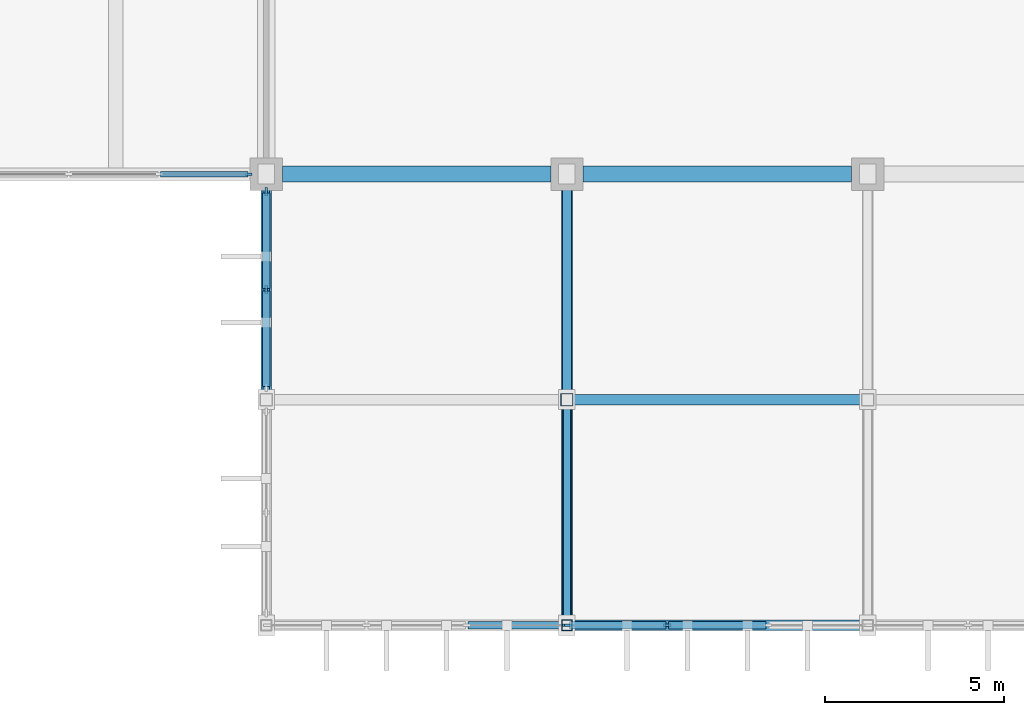
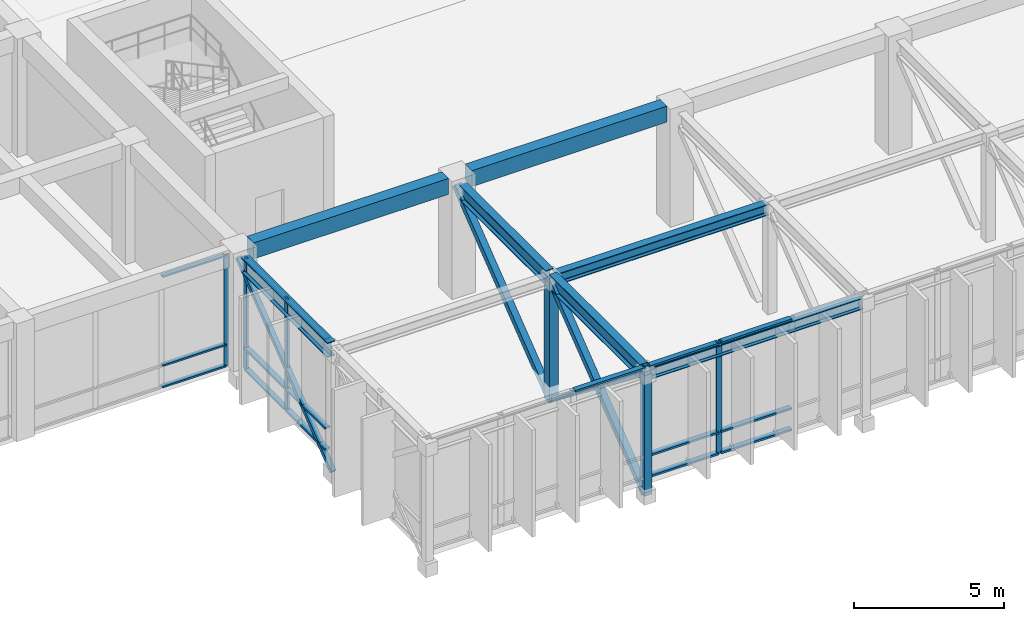
# One storey, part 5 of 51: 28 members, 7 beams, 4 elements without a shape of their own.
"""IFC4 building model written with IfcOpenShell, lengths in metres."""

from ifc_helpers import new_model, si_unit, direction, frame, origin, origin_2d, place, context, subcontext, project, spatial, rectangle, hollow_rectangle, i_section, extrude, material, material_profile, profile_set, type_object, element, aggregate, save


model = new_model("IFC4")

# Units and contexts
model_context = context("Model", 3, precision=1e-05, world=origin(), true_north=direction((0.0, 1.0)))
body_context = subcontext(model_context, "Body", "Model", "MODEL_VIEW")
ifc_project = project(units=[si_unit("LENGTHUNIT", "METRE"), si_unit("AREAUNIT", "SQUARE_METRE"), si_unit("VOLUMEUNIT", "CUBIC_METRE"), si_unit("PLANEANGLEUNIT", "RADIAN"), si_unit("MASSUNIT", "GRAM", prefix="KILO")], contexts=[model_context])

# Site, building, storey
site_placement = place(None, origin())
site = spatial("IfcSite", under=ifc_project, at=site_placement, CompositionType="ELEMENT")
building_placement = place(site_placement, origin())
building = spatial("IfcBuilding", under=site, at=building_placement, Name="Kenerak Square Central Library", CompositionType="ELEMENT")
storey_placement = place(building_placement, frame((0.0, 0.0, 9.60009765625)))
storey = spatial("IfcBuildingStorey", under=building, at=storey_placement, Name="L02", CompositionType="ELEMENT", Elevation=9.60009765625)

# Curtain wall, member
ifc_material_1 = material(Name="Anodised aluminium and solar-control low-E glazing", Category="aluminium")
curtain_wall_type_1 = type_object("IfcCurtainWallType", Name="Curtain Wall CW-V6-76x45 7600x4550", PredefinedType="USERDEFINED", material=ifc_material_1)
curtain_wall_1_placement = place(storey_placement, origin())
curtain_wall_1 = element("IfcCurtainWall", 1, at=curtain_wall_1_placement, inside=storey, type_object=curtain_wall_type_1, Name="Curtain Wall CW-V6-76x45 L02 0106", ObjectType="CURTAIN WALL", PredefinedType="USERDEFINED")
ifc_material_2 = material(Name="Anodised aluminium 6063-T6", Category="aluminium")
ifc_material_profile_1 = material_profile(ifc_material_2, rectangle(XDim=0.06494140625, YDim=0.179931640625, at=origin_2d()), Name="AL MULLION 65x180")
ifc_profile_set_1 = profile_set([ifc_material_profile_1], Name="Anodised aluminium 6063-T6")
member_type_1 = type_object("IfcMemberType", Name="Curtain Mullion CM-01 65x180", PredefinedType="MULLION", material=ifc_profile_set_1)
member_1_placement = place(storey_placement, frame((57.91748046875, 16.800048828125, 0.0), z_axis=(0.0, 0.0, 1.0), x_axis=(0.0, -1.0, 0.0)))
member_1 = element("IfcMember", 2, at=member_1_placement, type_object=member_type_1, Name="CW-V6-76x45 Mullion 1", PredefinedType="MULLION", context=body_context, shape_type="SweptSolid", body=[
    extrude(rectangle(XDim=0.06494140625, YDim=0.179931640625, at=origin_2d()), origin(), (0.0, 0.0, 1.0), 4.5498046875),
])

# Curtain wall, members
curtain_wall_type_2 = type_object("IfcCurtainWallType", Name="Curtain Wall CW-V1-84x45 8400x4550", PredefinedType="USERDEFINED", material=ifc_material_1)
curtain_wall_2_placement = place(storey_placement, origin())
curtain_wall_2 = element("IfcCurtainWall", 3, at=curtain_wall_2_placement, inside=storey, type_object=curtain_wall_type_2, Name="Curtain Wall CW-V1-84x45 L02 0102", ObjectType="CURTAIN WALL", PredefinedType="USERDEFINED")
ifc_material_profile_2 = material_profile(ifc_material_2, rectangle(XDim=0.074951171875, YDim=0.219970703125, at=origin_2d()), Name="AL MULLION 75x220")
ifc_profile_set_2 = profile_set([ifc_material_profile_2], Name="Anodised aluminium 6063-T6")
member_type_2 = type_object("IfcMemberType", Name="Curtain Mullion CM-02 75x220", PredefinedType="MULLION", material=ifc_profile_set_2)
member_2_placement = place(storey_placement, frame((69.60009765625, 4.199951171875, 0.0), z_axis=(0.0, 0.0, 1.0), x_axis=(0.0, -1.0, 0.0)))
member_2 = element("IfcMember", 4, at=member_2_placement, type_object=member_type_2, Name="CW-V1-84x45 Mullion 3", PredefinedType="MULLION", context=body_context, shape_type="SweptSolid", body=[
    extrude(rectangle(XDim=0.074951171875, YDim=0.219970703125, at=origin_2d()), origin(), (0.0, 0.0, 1.0), 4.5498046875),
])
member_3_placement = place(storey_placement, frame((66.83740234375, 4.199951171875, 0.0), z_axis=(0.0, 0.0, 1.0), x_axis=(0.0, -1.0, 0.0)))
member_3 = element("IfcMember", 5, at=member_3_placement, type_object=member_type_2, Name="CW-V1-84x45 Mullion 4", PredefinedType="MULLION", context=body_context, shape_type="SweptSolid", body=[
    extrude(rectangle(XDim=0.074951171875, YDim=0.219970703125, at=origin_2d()), origin(), (0.0, 0.0, 1.0), 4.5498046875),
])

# Curtain wall, member
curtain_wall_3_placement = place(storey_placement, origin())
curtain_wall_3 = element("IfcCurtainWall", 6, at=curtain_wall_3_placement, inside=storey, type_object=curtain_wall_type_2, Name="Curtain Wall CW-V1-84x45 L02 0103", ObjectType="CURTAIN WALL", PredefinedType="USERDEFINED")
member_4_placement = place(storey_placement, frame((66.762451171875, 4.199951171875, 0.0), z_axis=(0.0, 0.0, 1.0), x_axis=(0.0, -1.0, 0.0)))
member_4 = element("IfcMember", 7, at=member_4_placement, type_object=member_type_2, Name="CW-V1-84x45 Mullion 1", PredefinedType="MULLION", context=body_context, shape_type="SweptSolid", body=[
    extrude(rectangle(XDim=0.074951171875, YDim=0.219970703125, at=origin_2d()), origin(), (0.0, 0.0, 1.0), 4.5498046875),
])

# Curtain wall, members
curtain_wall_type_3 = type_object("IfcCurtainWallType", Name="Curtain Wall CW-V1-55x45 5550x4550", PredefinedType="USERDEFINED", material=ifc_material_1)
curtain_wall_4_placement = place(storey_placement, origin())
curtain_wall_4 = element("IfcCurtainWall", 8, at=curtain_wall_4_placement, inside=storey, type_object=curtain_wall_type_3, Name="Curtain Wall CW-V1-55x45 L02 0105", ObjectType="CURTAIN WALL", PredefinedType="USERDEFINED")
member_5_placement = place(storey_placement, frame((58.39990234375, 13.574951171875, 0.0), z_axis=(0.0, 0.0, 1.0), x_axis=(-1.0, 0.0, 0.0)))
member_5 = element("IfcMember", 9, at=member_5_placement, type_object=member_type_2, Name="CW-V1-55x45 Mullion 2", PredefinedType="MULLION", context=body_context, shape_type="SweptSolid", body=[
    extrude(rectangle(XDim=0.074951171875, YDim=0.219970703125, at=origin_2d()), origin(), (0.0, 0.0, 1.0), 4.5498046875),
])
member_6_placement = place(storey_placement, frame((58.39990234375, 16.3125, 0.0), z_axis=(0.0, 0.0, 1.0), x_axis=(-1.0, 0.0, 0.0)))
member_6 = element("IfcMember", 10, at=member_6_placement, type_object=member_type_2, Name="CW-V1-55x45 Mullion 3", PredefinedType="MULLION", context=body_context, shape_type="SweptSolid", body=[
    extrude(rectangle(XDim=0.074951171875, YDim=0.219970703125, at=origin_2d()), origin(), (0.0, 0.0, 1.0), 4.5498046875),
])

# Member
ifc_material_profile_3 = material_profile(ifc_material_2, rectangle(XDim=0.159912109375, YDim=0.06494140625, at=origin_2d()), Name="AL TRANSOM 160x65")
ifc_profile_set_3 = profile_set([ifc_material_profile_3], Name="Anodised aluminium 6063-T6")
member_type_3 = type_object("IfcMemberType", Name="Curtain Transom CT-11 160x65", PredefinedType="USERDEFINED", material=ifc_profile_set_3)
member_7_placement = place(storey_placement, frame((57.885009765625, 16.800048828125, 0.032470703125), z_axis=(-1.0, 0.0, 0.0), x_axis=(0.0, -1.0, 0.0)))
member_7 = element("IfcMember", 11, at=member_7_placement, type_object=member_type_3, Name="CW-V6-76x45 Transom 1.1", ObjectType="TRANSOM", PredefinedType="USERDEFINED", context=body_context, shape_type="SweptSolid", body=[
    extrude(rectangle(XDim=0.159912109375, YDim=0.06494140625, at=origin_2d()), origin(), (0.0, 0.0, 1.0), 2.435791015625),
])

member_8_placement = place(storey_placement, frame((57.885009765625, 16.800048828125, 0.89990234375), z_axis=(-1.0, 0.0, 0.0), x_axis=(0.0, -1.0, 0.0)))
member_8 = element("IfcMember", 12, at=member_8_placement, type_object=member_type_3, Name="CW-V6-76x45 Transom 1.2", ObjectType="TRANSOM", PredefinedType="USERDEFINED", context=body_context, shape_type="SweptSolid", body=[
    extrude(rectangle(XDim=0.159912109375, YDim=0.06494140625, at=origin_2d()), origin(), (0.0, 0.0, 1.0), 2.435791015625),
])

member_9_placement = place(storey_placement, frame((57.885009765625, 16.800048828125, 4.517333984375), z_axis=(-1.0, 0.0, 0.0), x_axis=(0.0, -1.0, 0.0)))
member_9 = element("IfcMember", 13, at=member_9_placement, type_object=member_type_3, Name="CW-V6-76x45 Transom 1.3", ObjectType="TRANSOM", PredefinedType="USERDEFINED", context=body_context, shape_type="SweptSolid", body=[
    extrude(rectangle(XDim=0.159912109375, YDim=0.06494140625, at=origin_2d()), origin(), (0.0, 0.0, 1.0), 2.435791015625),
])

aggregate(curtain_wall_1, [member_1, member_7, member_8, member_9])

ifc_material_profile_4 = material_profile(ifc_material_2, rectangle(XDim=0.199951171875, YDim=0.074951171875, at=origin_2d()), Name="AL TRANSOM 200x75")
ifc_profile_set_4 = profile_set([ifc_material_profile_4], Name="Anodised aluminium 6063-T6")
member_type_4 = type_object("IfcMemberType", Name="Curtain Transom CT-12 200x75", PredefinedType="USERDEFINED", material=ifc_profile_set_4)
member_10_placement = place(storey_placement, frame((72.362548828125, 4.199951171875, 0.037353515625), z_axis=(-1.0, 0.0, 0.0), x_axis=(0.0, -1.0, 0.0)))
member_10 = element("IfcMember", 14, at=member_10_placement, type_object=member_type_4, Name="CW-V1-84x45 Transom 2.1", ObjectType="TRANSOM", PredefinedType="USERDEFINED", context=body_context, shape_type="SweptSolid", body=[
    extrude(rectangle(XDim=0.199951171875, YDim=0.074951171875, at=origin_2d()), origin(), (0.0, 0.0, 1.0), 2.72509765625),
])

member_11_placement = place(storey_placement, frame((72.362548828125, 4.199951171875, 0.89990234375), z_axis=(-1.0, 0.0, 0.0), x_axis=(0.0, -1.0, 0.0)))
member_11 = element("IfcMember", 15, at=member_11_placement, type_object=member_type_4, Name="CW-V1-84x45 Transom 2.2", ObjectType="TRANSOM", PredefinedType="USERDEFINED", context=body_context, shape_type="SweptSolid", body=[
    extrude(rectangle(XDim=0.199951171875, YDim=0.074951171875, at=origin_2d()), origin(), (0.0, 0.0, 1.0), 2.72509765625),
])

member_12_placement = place(storey_placement, frame((72.362548828125, 4.199951171875, 4.512451171875), z_axis=(-1.0, 0.0, 0.0), x_axis=(0.0, -1.0, 0.0)))
member_12 = element("IfcMember", 16, at=member_12_placement, type_object=member_type_4, Name="CW-V1-84x45 Transom 2.3", ObjectType="TRANSOM", PredefinedType="USERDEFINED", context=body_context, shape_type="SweptSolid", body=[
    extrude(rectangle(XDim=0.199951171875, YDim=0.074951171875, at=origin_2d()), origin(), (0.0, 0.0, 1.0), 2.72509765625),
])

member_13_placement = place(storey_placement, frame((69.5625, 4.199951171875, 0.037353515625), z_axis=(-1.0, 0.0, 0.0), x_axis=(0.0, -1.0, 0.0)))
member_13 = element("IfcMember", 17, at=member_13_placement, type_object=member_type_4, Name="CW-V1-84x45 Transom 3.1", ObjectType="TRANSOM", PredefinedType="USERDEFINED", context=body_context, shape_type="SweptSolid", body=[
    extrude(rectangle(XDim=0.199951171875, YDim=0.074951171875, at=origin_2d()), origin(), (0.0, 0.0, 1.0), 2.6875),
])

member_14_placement = place(storey_placement, frame((69.5625, 4.199951171875, 0.89990234375), z_axis=(-1.0, 0.0, 0.0), x_axis=(0.0, -1.0, 0.0)))
member_14 = element("IfcMember", 18, at=member_14_placement, type_object=member_type_4, Name="CW-V1-84x45 Transom 3.2", ObjectType="TRANSOM", PredefinedType="USERDEFINED", context=body_context, shape_type="SweptSolid", body=[
    extrude(rectangle(XDim=0.199951171875, YDim=0.074951171875, at=origin_2d()), origin(), (0.0, 0.0, 1.0), 2.6875),
])

member_15_placement = place(storey_placement, frame((69.5625, 4.199951171875, 4.512451171875), z_axis=(-1.0, 0.0, 0.0), x_axis=(0.0, -1.0, 0.0)))
member_15 = element("IfcMember", 19, at=member_15_placement, type_object=member_type_4, Name="CW-V1-84x45 Transom 3.3", ObjectType="TRANSOM", PredefinedType="USERDEFINED", context=body_context, shape_type="SweptSolid", body=[
    extrude(rectangle(XDim=0.199951171875, YDim=0.074951171875, at=origin_2d()), origin(), (0.0, 0.0, 1.0), 2.6875),
])

aggregate(curtain_wall_2, [member_2, member_3, member_10, member_11, member_12, member_13, member_14, member_15])

member_16_placement = place(storey_placement, frame((66.72509765625, 4.199951171875, 4.512451171875), z_axis=(-1.0, 0.0, 0.0), x_axis=(0.0, -1.0, 0.0)))
member_16 = element("IfcMember", 20, at=member_16_placement, type_object=member_type_4, Name="CW-V1-84x45 Transom 1.3", ObjectType="TRANSOM", PredefinedType="USERDEFINED", context=body_context, shape_type="SweptSolid", body=[
    extrude(rectangle(XDim=0.199951171875, YDim=0.074951171875, at=origin_2d()), origin(), (0.0, 0.0, 1.0), 2.6875),
])

aggregate(curtain_wall_3, [member_4, member_16])

member_17_placement = place(storey_placement, frame((58.39990234375, 10.875, 0.037353515625), z_axis=(0.0, 1.0, 0.0), x_axis=(-1.0, 0.0, 0.0)))
member_17 = element("IfcMember", 21, at=member_17_placement, type_object=member_type_4, Name="CW-V1-55x45 Transom 1.1", ObjectType="TRANSOM", PredefinedType="USERDEFINED", context=body_context, shape_type="SweptSolid", body=[
    extrude(rectangle(XDim=0.199951171875, YDim=0.074951171875, at=origin_2d()), origin(), (0.0, 0.0, 1.0), 2.66259765625),
])

member_18_placement = place(storey_placement, frame((58.39990234375, 10.875, 0.89990234375), z_axis=(0.0, 1.0, 0.0), x_axis=(-1.0, 0.0, 0.0)))
member_18 = element("IfcMember", 22, at=member_18_placement, type_object=member_type_4, Name="CW-V1-55x45 Transom 1.2", ObjectType="TRANSOM", PredefinedType="USERDEFINED", context=body_context, shape_type="SweptSolid", body=[
    extrude(rectangle(XDim=0.199951171875, YDim=0.074951171875, at=origin_2d()), origin(), (0.0, 0.0, 1.0), 2.66259765625),
])

member_19_placement = place(storey_placement, frame((58.39990234375, 10.875, 4.512451171875), z_axis=(0.0, 1.0, 0.0), x_axis=(-1.0, 0.0, 0.0)))
member_19 = element("IfcMember", 23, at=member_19_placement, type_object=member_type_4, Name="CW-V1-55x45 Transom 1.3", ObjectType="TRANSOM", PredefinedType="USERDEFINED", context=body_context, shape_type="SweptSolid", body=[
    extrude(rectangle(XDim=0.199951171875, YDim=0.074951171875, at=origin_2d()), origin(), (0.0, 0.0, 1.0), 2.66259765625),
])

member_20_placement = place(storey_placement, frame((58.39990234375, 13.612548828125, 0.037353515625), z_axis=(0.0, 1.0, 0.0), x_axis=(-1.0, 0.0, 0.0)))
member_20 = element("IfcMember", 24, at=member_20_placement, type_object=member_type_4, Name="CW-V1-55x45 Transom 2.1", ObjectType="TRANSOM", PredefinedType="USERDEFINED", context=body_context, shape_type="SweptSolid", body=[
    extrude(rectangle(XDim=0.199951171875, YDim=0.074951171875, at=origin_2d()), origin(), (0.0, 0.0, 1.0), 2.662353515625),
])

member_21_placement = place(storey_placement, frame((58.39990234375, 13.612548828125, 0.89990234375), z_axis=(0.0, 1.0, 0.0), x_axis=(-1.0, 0.0, 0.0)))
member_21 = element("IfcMember", 25, at=member_21_placement, type_object=member_type_4, Name="CW-V1-55x45 Transom 2.2", ObjectType="TRANSOM", PredefinedType="USERDEFINED", context=body_context, shape_type="SweptSolid", body=[
    extrude(rectangle(XDim=0.199951171875, YDim=0.074951171875, at=origin_2d()), origin(), (0.0, 0.0, 1.0), 2.662353515625),
])

member_22_placement = place(storey_placement, frame((58.39990234375, 13.612548828125, 4.512451171875), z_axis=(0.0, 1.0, 0.0), x_axis=(-1.0, 0.0, 0.0)))
member_22 = element("IfcMember", 26, at=member_22_placement, type_object=member_type_4, Name="CW-V1-55x45 Transom 2.3", ObjectType="TRANSOM", PredefinedType="USERDEFINED", context=body_context, shape_type="SweptSolid", body=[
    extrude(rectangle(XDim=0.199951171875, YDim=0.074951171875, at=origin_2d()), origin(), (0.0, 0.0, 1.0), 2.662353515625),
])

aggregate(curtain_wall_4, [member_5, member_6, member_17, member_18, member_19, member_20, member_21, member_22])

# Beams
ifc_material_3 = material(Name="Concrete C40/50", Category="concrete")
ifc_material_profile_5 = material_profile(ifc_material_3, rectangle(XDim=0.449951171875, YDim=0.64990234375, at=origin_2d()), Name="RC 450x650")
ifc_profile_set_5 = profile_set([ifc_material_profile_5], Name="Concrete C40/50")
beam_type_1 = type_object("IfcBeamType", Name="Mezzanine Frame Beam B-06 RC 450x650 C40/50", PredefinedType="BEAM", material=ifc_profile_set_5)
for number, where, z_axis, x_axis, name in (
    (27, (58.85009765625, 16.800048828125, 4.474853515625), (1.0, 0.0, 0.0), (0.0, 1.0, 0.0), "Beam B-06 L02 1190"),
    (28, (67.25, 16.800048828125, 4.474853515625), (1.0, 0.0, 0.0), (0.0, 1.0, 0.0), "Beam B-06 L02 1191"),
):
    element("IfcBeam", number, at=place(storey_placement, frame(where, z_axis=z_axis, x_axis=x_axis)), inside=storey, type_object=beam_type_1, Name=name, PredefinedType="BEAM", context=body_context, shape_type="SweptSolid", body=[
        extrude(rectangle(XDim=0.449951171875, YDim=0.64990234375, at=origin_2d()), origin(), (0.0, 0.0, 1.0), 7.5),
    ])
ifc_material_4 = material(Name="Steel S355", Category="steel")
ifc_material_profile_6 = material_profile(ifc_material_4, i_section(OverallWidth=0.300048828125, OverallDepth=0.449951171875, WebThickness=0.013916015625, FlangeThickness=0.02587890625, FilletRadius=0.027099609375, at=origin_2d()), Name="HEB 450")
ifc_profile_set_6 = profile_set([ifc_material_profile_6], Name="Steel S355")
beam_type_2 = type_object("IfcBeamType", Name="Overhang Cross Girder SB-04 HEB 450 S355", PredefinedType="BEAM", material=ifc_profile_set_6)
for number, where, z_axis, x_axis, name in (
    (29, (66.919921875, 4.199951171875, 4.25), (1.0, 0.0, 0.0), (0.0, 1.0, 0.0), "Overhang Cross Girder SB-04 L02 1720"),
    (30, (66.919921875, 10.5, 4.25), (1.0, 0.0, 0.0), (0.0, 1.0, 0.0), "Overhang Cross Girder SB-04 L02 1727"),
):
    element("IfcBeam", number, at=place(storey_placement, frame(where, z_axis=z_axis, x_axis=x_axis)), inside=storey, type_object=beam_type_2, Name=name, PredefinedType="BEAM", context=body_context, shape_type="SweptSolid", body=[
        extrude(i_section(OverallWidth=0.300048828125, OverallDepth=0.449951171875, WebThickness=0.013916015625, FlangeThickness=0.02587890625, FilletRadius=0.027099609375, at=origin_2d()), origin(), (0.0, 0.0, 1.0), 8.16015625),
    ])
ifc_material_profile_7 = material_profile(ifc_material_4, i_section(OverallWidth=0.300048828125, OverallDepth=0.60009765625, WebThickness=0.015380859375, FlangeThickness=0.030029296875, FilletRadius=0.027099609375, at=origin_2d()), Name="HEB 600")
ifc_profile_set_7 = profile_set([ifc_material_profile_7], Name="Steel S355")
beam_type_3 = type_object("IfcBeamType", Name="Overhang Truss Chord SB-02 HEB 600 S355", PredefinedType="BEAM", material=ifc_profile_set_7)
beam_1_placement = place(storey_placement, frame((58.39990234375, 10.6201171875, 4.25), z_axis=(0.0, 1.0, 0.0), x_axis=(-1.0, 0.0, 0.0)))
element("IfcBeam", 31, at=beam_1_placement, inside=storey, type_object=beam_type_3, Name="Wall-Truss Chord 1 L02 006", PredefinedType="BEAM", context=body_context, shape_type="SweptSolid", body=[
    extrude(i_section(OverallWidth=0.300048828125, OverallDepth=0.60009765625, WebThickness=0.015380859375, FlangeThickness=0.030029296875, FilletRadius=0.027099609375, at=origin_2d()), origin(), (0.0, 0.0, 1.0), 5.77978515625),
])
beam_2_placement = place(storey_placement, frame((66.800048828125, 4.320068359375, 4.25), z_axis=(0.0, 1.0, 0.0), x_axis=(-1.0, 0.0, 0.0)))
element("IfcBeam", 32, at=beam_2_placement, inside=storey, type_object=beam_type_3, Name="Wall-Truss Chord 2 L02 021", PredefinedType="BEAM", context=body_context, shape_type="SweptSolid", body=[
    extrude(i_section(OverallWidth=0.300048828125, OverallDepth=0.60009765625, WebThickness=0.015380859375, FlangeThickness=0.030029296875, FilletRadius=0.027099609375, at=origin_2d()), origin(), (0.0, 0.0, 1.0), 6.059814453125),
])
beam_3_placement = place(storey_placement, frame((66.800048828125, 10.6201171875, 4.25), z_axis=(0.0, 1.0, 0.0), x_axis=(-1.0, 0.0, 0.0)))
element("IfcBeam", 33, at=beam_3_placement, inside=storey, type_object=beam_type_3, Name="Wall-Truss Chord 2 L02 022", PredefinedType="BEAM", context=body_context, shape_type="SweptSolid", body=[
    extrude(i_section(OverallWidth=0.300048828125, OverallDepth=0.60009765625, WebThickness=0.015380859375, FlangeThickness=0.030029296875, FilletRadius=0.027099609375, at=origin_2d()), origin(), (0.0, 0.0, 1.0), 5.77978515625),
])

# Members
ifc_material_profile_8 = material_profile(ifc_material_4, hollow_rectangle(XDim=0.179931640625, YDim=0.179931640625, WallThickness=0.008056640625, at=origin_2d()), Name="SHS 180x180x8.0")
ifc_profile_set_8 = profile_set([ifc_material_profile_8], Name="Steel S355")
member_type_5 = type_object("IfcMemberType", Name="Overhang Web Tie TM-06 SHS 180x180x8 S355", PredefinedType="STRUT", material=ifc_profile_set_8)
member_23_placement = place(storey_placement, frame((58.39990234375, 10.5, -0.650146484375), z_axis=(0.0, 0.78934562896, 0.613949084242), x_axis=(-1.0, 0.0, 0.0)))
element("IfcMember", 34, at=member_23_placement, inside=storey, type_object=member_type_5, Name="Wall-Truss Diagonal 1 L02 012", PredefinedType="STRUT", context=body_context, shape_type="SweptSolid", body=[
    extrude(hollow_rectangle(XDim=0.179931640625, YDim=0.179931640625, WallThickness=0.008056640625, at=origin_2d()), origin(), (0.0, 0.0, 1.0), 7.9814453125),
])
ifc_material_profile_9 = material_profile(ifc_material_4, hollow_rectangle(XDim=0.199951171875, YDim=0.199951171875, WallThickness=0.010009765625, at=origin_2d()), Name="SHS 200x200x10.0")
ifc_profile_set_9 = profile_set([ifc_material_profile_9], Name="Steel S355")
member_type_6 = type_object("IfcMemberType", Name="Secondary Truss Brace TM-04 SHS 200x200x10 S355", PredefinedType="BRACE", material=ifc_profile_set_9)
member_24_placement = place(storey_placement, frame((66.800048828125, 4.199951171875, 4.25), z_axis=(0.0, 0.78934562896, -0.613949084242), x_axis=(-1.0, 0.0, 0.0)))
element("IfcMember", 35, at=member_24_placement, inside=storey, type_object=member_type_6, Name="Overhang Counter Brace TM-04 02", PredefinedType="BRACE", context=body_context, shape_type="SweptSolid", body=[
    extrude(hollow_rectangle(XDim=0.199951171875, YDim=0.199951171875, WallThickness=0.010009765625, at=origin_2d()), origin(), (0.0, 0.0, 1.0), 7.9814453125),
])
ifc_material_profile_10 = material_profile(ifc_material_4, hollow_rectangle(XDim=0.35009765625, YDim=0.35009765625, WallThickness=0.01611328125, at=origin_2d()), Name="SHS 350x350x16.0")
ifc_profile_set_10 = profile_set([ifc_material_profile_10], Name="Steel S355")
member_type_7 = type_object("IfcMemberType", Name="Wall-Truss Heavy Post TM-01 SHS 350x350x16 S355", PredefinedType="STRUT", material=ifc_profile_set_10)
member_25_placement = place(storey_placement, frame((66.800048828125, 10.5, -0.650146484375), z_axis=(0.0, 0.0, 1.0), x_axis=(1.0, 0.0, 0.0)))
element("IfcMember", 36, at=member_25_placement, inside=storey, type_object=member_type_7, Name="Wall-Truss Post 2 L02 026", PredefinedType="STRUT", context=body_context, shape_type="SweptSolid", body=[
    extrude(hollow_rectangle(XDim=0.35009765625, YDim=0.35009765625, WallThickness=0.01611328125, at=origin_2d()), origin(), (0.0, 0.0, 1.0), 4.900146484375),
])
ifc_material_profile_11 = material_profile(ifc_material_4, hollow_rectangle(XDim=0.300048828125, YDim=0.300048828125, WallThickness=0.012451171875, at=origin_2d()), Name="SHS 300x300x12.5")
ifc_profile_set_11 = profile_set([ifc_material_profile_11], Name="Steel S355")
member_type_8 = type_object("IfcMemberType", Name="Wall-Truss Vertical Post TM-02 SHS 300x300x12.5 S355", PredefinedType="STRUT", material=ifc_profile_set_11)
member_26_placement = place(storey_placement, frame((66.800048828125, 4.199951171875, -0.650146484375), z_axis=(0.0, 0.0, 1.0), x_axis=(1.0, 0.0, 0.0)))
element("IfcMember", 37, at=member_26_placement, inside=storey, type_object=member_type_8, Name="Wall-Truss Post 2 L02 025", PredefinedType="STRUT", context=body_context, shape_type="SweptSolid", body=[
    extrude(hollow_rectangle(XDim=0.300048828125, YDim=0.300048828125, WallThickness=0.012451171875, at=origin_2d()), origin(), (0.0, 0.0, 1.0), 4.900146484375),
])
ifc_material_profile_12 = material_profile(ifc_material_4, hollow_rectangle(XDim=0.25, YDim=0.25, WallThickness=0.010009765625, at=origin_2d()), Name="SHS 250x250x10.0")
ifc_profile_set_12 = profile_set([ifc_material_profile_12], Name="Steel S355")
member_type_9 = type_object("IfcMemberType", Name="Wall-Truss Web Diagonal TM-03 SHS 250x250x10 S355", PredefinedType="BRACE", material=ifc_profile_set_12)
for number, where, z_axis, x_axis, name in (
    (38, (66.800048828125, 4.199951171875, -0.650146484375), (0.0, 0.78934562896, 0.613949084242), (-1.0, 0.0, 0.0), "Wall-Truss Diagonal 2 L02 027"),
    (39, (66.800048828125, 10.5, -0.650146484375), (0.0, 0.78934562896, 0.613949084242), (-1.0, 0.0, 0.0), "Wall-Truss Diagonal 2 L02 028"),
):
    element("IfcMember", number, at=place(storey_placement, frame(where, z_axis=z_axis, x_axis=x_axis)), inside=storey, type_object=member_type_9, Name=name, PredefinedType="BRACE", context=body_context, shape_type="SweptSolid", body=[
        extrude(hollow_rectangle(XDim=0.25, YDim=0.25, WallThickness=0.010009765625, at=origin_2d()), origin(), (0.0, 0.0, 1.0), 7.9814453125),
    ])

save(model, "model.ifc")
